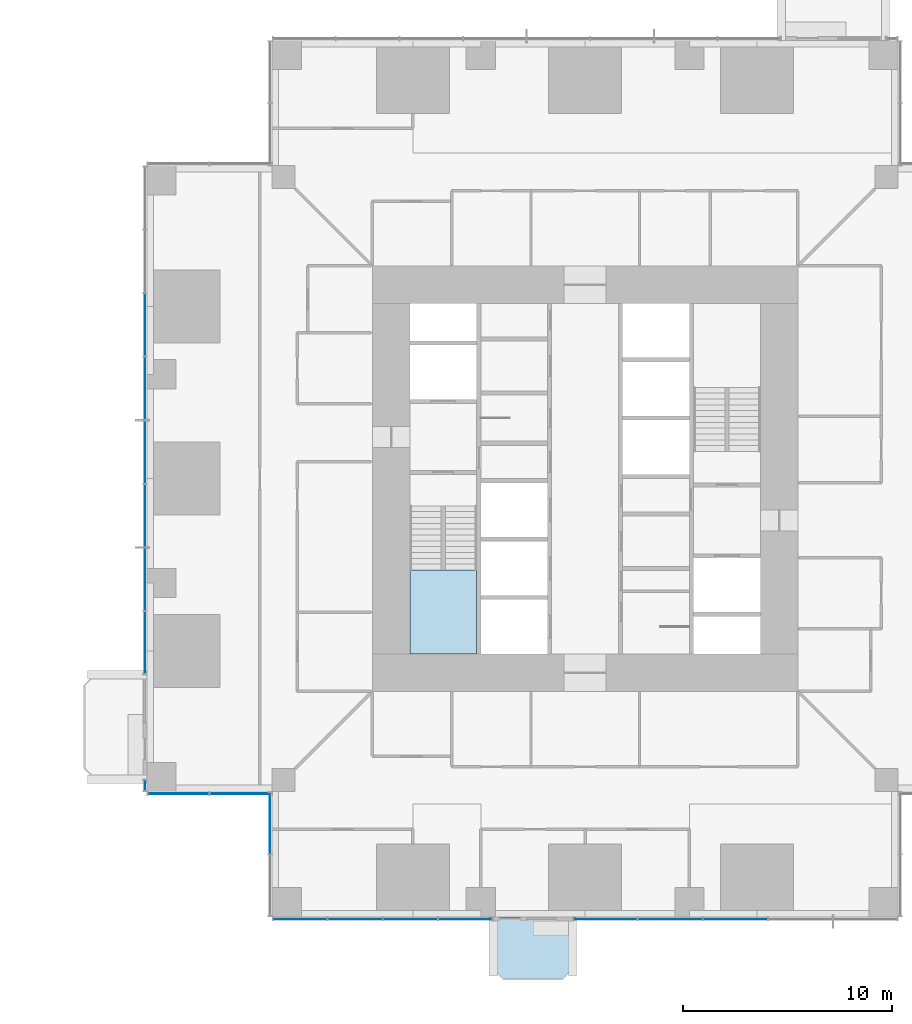
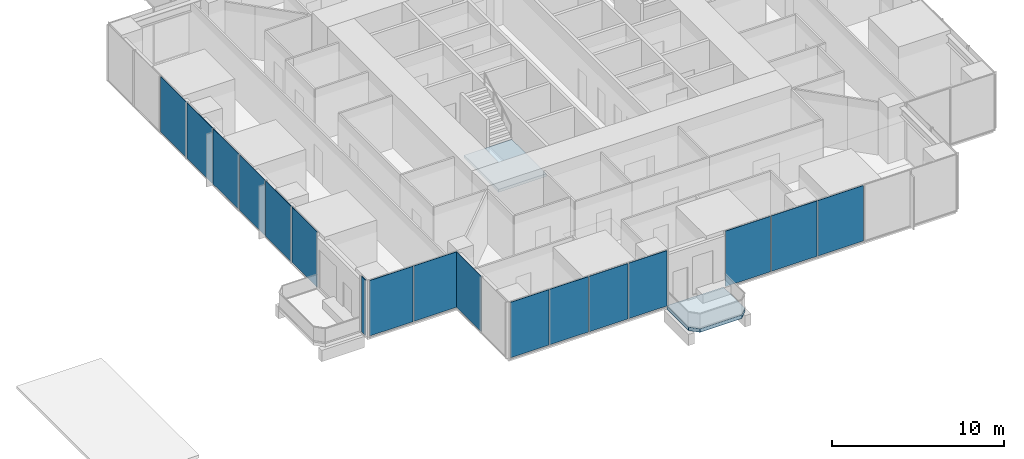
# One storey, part 7 of 16: 17 plates, 2 slabs, 7 elements without a shape of their own.
"""IFC4 building model written with IfcOpenShell, lengths in metres."""

import ifcopenshell
import ifcopenshell.guid

model = None  # the IFC model being written
_history = None  # IfcOwnerHistory: only IFC2X3 demands one
_inside = {}  # id of a spatial element -> (the spatial element, [elements in it])
_under = {}  # id of a project, library or spatial element -> (it, [spatial elements below it])
_declared = {}  # id of a project -> (the project, [libraries it declares])
_typed = {}  # id of a type object -> (the type object, [elements of that type])
_made_of = {}  # id of a material, layer set ... -> (it, [elements and type objects made of it])


def new_model(schema):
    """Start an empty IFC model of exactly this schema.

    Asked for "IFC4X3", IfcOpenShell would pick the latest addendum, in which some entities
    have other attributes; the version numbers below select the first issue.
    IFC2X3 requires an IfcOwnerHistory on every rooted entity: one is made here for all.
    """
    global model, _history
    if schema == "IFC4X3":
        model = ifcopenshell.file(schema_version=(4, 3, 0, 0))
    else:
        model = ifcopenshell.file(schema=schema)
    _inside.clear()
    _under.clear()
    _declared.clear()
    _typed.clear()
    _made_of.clear()
    _history = None
    if model.schema == "IFC2X3":
        org = make("IfcOrganization", Name="unknown")
        user = make(
            "IfcPersonAndOrganization",
            ThePerson=make("IfcPerson", FamilyName="unknown"),
            TheOrganization=org,
        )
        app = make(
            "IfcApplication",
            ApplicationDeveloper=org,
            Version="unknown",
            ApplicationFullName="unknown",
            ApplicationIdentifier="unknown",
        )
        _history = make(
            "IfcOwnerHistory",
            OwningUser=user,
            OwningApplication=app,
            ChangeAction="ADDED",
            CreationDate=0,
        )
    return model


def make(cls, **values):
    """One entity of the class cls with the attributes given. An attribute that is None is left unset."""
    return model.create_entity(
        cls, **{name: value for name, value in values.items() if value is not None}
    )


def rooted(cls, **values):
    """An entity with a GlobalId (a new one), such as an element, a storey or a relation."""
    return make(cls, GlobalId=ifcopenshell.guid.new(), OwnerHistory=_history, **values)


def si_unit(unit_type, name, prefix=None):
    """IfcSIUnit, for example si_unit("LENGTHUNIT", "METRE", prefix="MILLI")."""
    return make("IfcSIUnit", UnitType=unit_type, Prefix=prefix, Name=name)


def assignment(units):
    """IfcUnitAssignment: the units of a project."""
    return None if units is None else make("IfcUnitAssignment", Units=units)


def point(xyz):
    """IfcCartesianPoint."""
    return None if xyz is None else make("IfcCartesianPoint", Coordinates=xyz)


def direction(xyz):
    """IfcDirection."""
    return None if xyz is None else make("IfcDirection", DirectionRatios=xyz)


def frame(location, z_axis=None, x_axis=None):
    """IfcAxis2Placement3D, a coordinate frame: its origin and axes. An axis left out is left unset."""
    return make(
        "IfcAxis2Placement3D",
        Location=point(location),
        Axis=direction(z_axis),
        RefDirection=direction(x_axis),
    )


def frame_2d(location, x_axis=None):
    """IfcAxis2Placement2D, a coordinate frame in the plane: its origin and x axis."""
    return make(
        "IfcAxis2Placement2D", Location=point(location), RefDirection=direction(x_axis)
    )


def origin():
    """The frame at (0, 0, 0) with its axes left unset."""
    return frame((0.0, 0.0, 0.0))


def origin_2d():
    """The frame at (0, 0) in the plane with its x axis left unset."""
    return frame_2d((0.0, 0.0))


def place(relative_to, where):
    """IfcLocalPlacement: puts the frame where relative to a parent placement (None: the world)."""
    return make(
        "IfcLocalPlacement", PlacementRelTo=relative_to, RelativePlacement=where
    )


def context(
    kind, dimensions, precision=None, world=None, true_north=None, identifier=None
):
    """IfcGeometricRepresentationContext, for example the 3D "Model" context."""
    return make(
        "IfcGeometricRepresentationContext",
        ContextIdentifier=identifier,
        ContextType=kind,
        CoordinateSpaceDimension=dimensions,
        Precision=precision,
        WorldCoordinateSystem=world,
        TrueNorth=true_north,
    )


def subcontext(parent, identifier, kind, view, scale=None):
    """IfcGeometricRepresentationSubContext, for example "Body" below "Model"."""
    return make(
        "IfcGeometricRepresentationSubContext",
        ContextIdentifier=identifier,
        ContextType=kind,
        ParentContext=parent,
        TargetScale=scale,
        TargetView=view,
    )


def project(units=None, contexts=None):
    """IfcProject with its units and contexts."""
    return rooted(
        "IfcProject",
        Name="project",
        RepresentationContexts=contexts,
        UnitsInContext=assignment(units),
    )


def spatial(cls, under=None, at=None, **own):
    """A site, building, storey or space (cls), placed at a placement, below another one or the project."""
    s = rooted(cls, ObjectPlacement=at, **own)
    if under is not None:
        _under.setdefault(under.id(), (under, []))[1].append(s)
    return s


def polyline(points):
    """IfcPolyline through the points."""
    return make("IfcPolyline", Points=[point(p) for p in points])


def profile(cls, at=None, kind="AREA", **sizes):
    """A parametric profile (cls). Its sizes go by their IFC names, for example OverallWidth=200.0."""
    return make(cls, ProfileType=kind, Position=at, **sizes)


def rectangle(**sizes):
    """IfcRectangleProfileDef."""
    return profile("IfcRectangleProfileDef", **sizes)


def outline(outer, holes=None, kind="AREA"):
    """IfcArbitraryClosedProfileDef: a profile drawn as a closed curve; with holes, ...WithVoids."""
    if holes is None:
        return make("IfcArbitraryClosedProfileDef", ProfileType=kind, OuterCurve=outer)
    return make(
        "IfcArbitraryProfileDefWithVoids",
        ProfileType=kind,
        OuterCurve=outer,
        InnerCurves=holes,
    )


def extrude(swept, where, along, depth):
    """IfcExtrudedAreaSolid: the profile swept, set in the frame where, extruded along a direction by depth."""
    return make(
        "IfcExtrudedAreaSolid",
        SweptArea=swept,
        Position=where,
        ExtrudedDirection=direction(along),
        Depth=depth,
    )


def shape(context_of_items, identifier, shape_type, items):
    """IfcShapeRepresentation: the items that make up one representation, for example the "Body"."""
    return make(
        "IfcShapeRepresentation",
        ContextOfItems=context_of_items,
        RepresentationIdentifier=identifier,
        RepresentationType=shape_type,
        Items=items,
    )


def material(Name=None, Category=None):
    """IfcMaterial."""
    return make("IfcMaterial", Name=Name, Category=Category)


def layer(
    of_material, thickness, ventilated=None, Name=None, Category=None, Priority=None
):
    """IfcMaterialLayer: one layer of a wall or slab, of a material (None: an air gap)."""
    return make(
        "IfcMaterialLayer",
        Material=of_material,
        LayerThickness=thickness,
        IsVentilated=ventilated,
        Name=Name,
        Category=Category,
        Priority=Priority,
    )


def layer_set(layers, Name=None):
    """IfcMaterialLayerSet."""
    return make("IfcMaterialLayerSet", MaterialLayers=layers, LayerSetName=Name)


def made_of(thing, what):
    """Note that an element or type object is made of a material, layer set ...; save() writes the relation."""
    if what is not None:
        _made_of.setdefault(what.id(), (what, []))[1].append(thing)
    return thing


def type_object(cls, material=None, **own):
    """A type object (cls), such as IfcWallType, which elements share."""
    return made_of(rooted(cls, **own), material)


def element(
    cls,
    number,
    at=None,
    inside=None,
    cuts=None,
    type_object=None,
    material=None,
    context=None,
    identifier="Body",
    shape_type=None,
    held_by="IfcProductDefinitionShape",
    body=None,
    shapes=None,
    **own,
):
    """One element of the class cls, such as IfcWall. Its Tag is "e" and its number.

    at: its placement. inside: the storey or other place that contains it. cuts: it is an
    opening in that element (IfcRelVoidsElement). A single representation is given by context,
    identifier, shape_type and body (its items); several are given by shapes. held_by: the class
    of the entity that holds the representations. save() writes the other relations.
    """
    e = rooted(cls, Tag="e%d" % number, ObjectPlacement=at, **own)
    if body is not None:
        shapes = [shape(context, identifier, shape_type, body)]
    if shapes is not None:
        e.Representation = make(held_by, Representations=shapes)
    if inside is not None:
        _inside.setdefault(inside.id(), (inside, []))[1].append(e)
    if cuts is not None:
        rooted(
            "IfcRelVoidsElement", RelatingBuildingElement=cuts, RelatedOpeningElement=e
        )
    if type_object is not None:
        _typed.setdefault(type_object.id(), (type_object, []))[1].append(e)
    return made_of(e, material)


def aggregate(whole, parts):
    """IfcRelAggregates: a whole, such as a stair, and the parts it consists of."""
    return rooted("IfcRelAggregates", RelatingObject=whole, RelatedObjects=parts)


def save(model, path):
    """Write the relations noted so far, then the file.

    IfcRelAggregates (storeys below a building ...), IfcRelContainedInSpatialStructure (elements
    in a storey), IfcRelDefinesByType, IfcRelAssociatesMaterial and IfcRelDeclares: one each for
    every whole, place, type object, material and project.
    """
    for whole, parts in _under.values():
        aggregate(whole, parts)
    for where, things in _inside.values():
        rooted(
            "IfcRelContainedInSpatialStructure",
            RelatedElements=things,
            RelatingStructure=where,
        )
    for kind, things in _typed.values():
        rooted("IfcRelDefinesByType", RelatedObjects=things, RelatingType=kind)
    for what, things in _made_of.values():
        rooted("IfcRelAssociatesMaterial", RelatedObjects=things, RelatingMaterial=what)
    for by, libraries in _declared.values():
        rooted("IfcRelDeclares", RelatingContext=by, RelatedDefinitions=libraries)
    model.write(path)


model = new_model("IFC4")

# Units and contexts
model_context = context("Model", 3, precision=1e-05, world=origin(), true_north=direction((0.0, 1.0)))
body_context = subcontext(model_context, "Body", "Model", "MODEL_VIEW")
ifc_project = project(units=[si_unit("LENGTHUNIT", "METRE"), si_unit("AREAUNIT", "SQUARE_METRE"), si_unit("VOLUMEUNIT", "CUBIC_METRE"), si_unit("PLANEANGLEUNIT", "RADIAN"), si_unit("MASSUNIT", "GRAM", prefix="KILO")], contexts=[model_context])

# Site, building, storey
site_placement = place(None, origin())
site = spatial("IfcSite", under=ifc_project, at=site_placement, CompositionType="ELEMENT")
building_placement = place(site_placement, origin())
building = spatial("IfcBuilding", under=site, at=building_placement, Name="Svetlomir Tower", CompositionType="ELEMENT")
storey_placement = place(building_placement, frame((0.0, 0.0, 22.5)))
storey = spatial("IfcBuildingStorey", under=building, at=storey_placement, Name="L04", CompositionType="ELEMENT", Elevation=22.5)

# Slab
ifc_material_1 = material(Name="Concrete C60/75", Category="concrete")
ifc_layer_1 = layer(ifc_material_1, 0.25)
ifc_layer_set_1 = layer_set([ifc_layer_1], Name="Concrete C60/75")
slab_type_1 = type_object("IfcSlabType", Name="BALCONY SLAB 250", PredefinedType="FLOOR", material=ifc_layer_set_1)
slab_1_placement = place(storey_placement, frame((0.0, 0.0, -0.25)))
element("IfcSlab", 1, at=slab_1_placement, inside=storey, type_object=slab_type_1, Name="L04 S planted balcony", PredefinedType="FLOOR", context=body_context, shape_type="SweptSolid", body=[
    extrude(outline(polyline([(16.60009765625, -2.5), (17.10009765625, -3.0), (19.89990234375, -3.0), (20.39990234375, -2.5), (20.39990234375, 0.0), (16.60009765625, 0.0), (16.60009765625, -2.5)])), origin(), (0.0, 0.0, 1.0), 0.25),
])

# Curtain wall, plates
ifc_material_2 = material(Name="Bronze anodised aluminium curtain wall", Category="aluminium")
curtain_wall_type = type_object("IfcCurtainWallType", Name="CURTAIN WALL CW1 TOWER OFFICE", PredefinedType="NOTDEFINED", material=ifc_material_2)
curtain_wall_1_placement = place(storey_placement, origin())
curtain_wall_1 = element("IfcCurtainWall", 2, at=curtain_wall_1_placement, inside=storey, type_object=curtain_wall_type, Name="Curtain wall CW1 L04", PredefinedType="NOTDEFINED")
ifc_material_3 = material(Name="Tinted double glazed unit", Category="glass")
ifc_layer_2 = layer(ifc_material_3, 0.031982421875)
ifc_layer_set_2 = layer_set([ifc_layer_2], Name="Tinted double glazed unit")
plate_type = type_object("IfcPlateType", Name="CW1 GLAZED PANEL 32", PredefinedType="CURTAIN_PANEL", material=ifc_layer_set_2)
plate_1_placement = place(storey_placement, frame((7.34130859375, -0.10009765625, 0.06494140625), z_axis=(0.0, 0.0, 1.0), x_axis=(1.0, 0.0, 0.0)))
plate_1 = element("IfcPlate", 3, at=plate_1_placement, type_object=plate_type, Name="CW1 panel 1.1", PredefinedType="CURTAIN_PANEL", context=body_context, shape_type="SweptSolid", body=[
    extrude(rectangle(XDim=2.552490234375, YDim=0.031982421875, at=origin_2d()), origin(), (0.0, 0.0, 1.0), 3.93505859375),
])
plate_2_placement = place(storey_placement, frame((9.97509765625, -0.10009765625, 0.06494140625), z_axis=(0.0, 0.0, 1.0), x_axis=(1.0, 0.0, 0.0)))
plate_2 = element("IfcPlate", 4, at=plate_2_placement, type_object=plate_type, Name="CW1 panel 2.1", PredefinedType="CURTAIN_PANEL", context=body_context, shape_type="SweptSolid", body=[
    extrude(rectangle(XDim=2.5849609375, YDim=0.031982421875, at=origin_2d()), origin(), (0.0, 0.0, 1.0), 3.93505859375),
])
plate_3_placement = place(storey_placement, frame((12.625, -0.10009765625, 0.06494140625), z_axis=(0.0, 0.0, 1.0), x_axis=(1.0, 0.0, 0.0)))
plate_3 = element("IfcPlate", 5, at=plate_3_placement, type_object=plate_type, Name="CW1 panel 3.1", PredefinedType="CURTAIN_PANEL", context=body_context, shape_type="SweptSolid", body=[
    extrude(rectangle(XDim=2.5849609375, YDim=0.031982421875, at=origin_2d()), origin(), (0.0, 0.0, 1.0), 3.93505859375),
])
plate_4_placement = place(storey_placement, frame((15.2587890625, -0.10009765625, 0.06494140625), z_axis=(0.0, 0.0, 1.0), x_axis=(1.0, 0.0, 0.0)))
plate_4 = element("IfcPlate", 6, at=plate_4_placement, type_object=plate_type, Name="CW1 panel 4.1", PredefinedType="CURTAIN_PANEL", context=body_context, shape_type="SweptSolid", body=[
    extrude(rectangle(XDim=2.552490234375, YDim=0.031982421875, at=origin_2d()), origin(), (0.0, 0.0, 1.0), 3.93505859375),
])
aggregate(curtain_wall_1, [plate_1, plate_2, plate_3, plate_4])

curtain_wall_2_placement = place(storey_placement, origin())
curtain_wall_2 = element("IfcCurtainWall", 7, at=curtain_wall_2_placement, inside=storey, type_object=curtain_wall_type, Name="Curtain wall CW1 L04", PredefinedType="NOTDEFINED")
plate_5_placement = place(storey_placement, frame((21.976318359375, -0.10009765625, 0.06494140625), z_axis=(0.0, 0.0, 1.0), x_axis=(1.0, 0.0, 0.0)))
plate_5 = element("IfcPlate", 8, at=plate_5_placement, type_object=plate_type, Name="CW1 panel 1.1", PredefinedType="CURTAIN_PANEL", context=body_context, shape_type="SweptSolid", body=[
    extrude(rectangle(XDim=3.0224609375, YDim=0.031982421875, at=origin_2d()), origin(), (0.0, 0.0, 1.0), 3.93505859375),
])
plate_6_placement = place(storey_placement, frame((25.080078125, -0.10009765625, 0.06494140625), z_axis=(0.0, 0.0, 1.0), x_axis=(1.0, 0.0, 0.0)))
plate_6 = element("IfcPlate", 9, at=plate_6_placement, type_object=plate_type, Name="CW1 panel 2.1", PredefinedType="CURTAIN_PANEL", context=body_context, shape_type="SweptSolid", body=[
    extrude(rectangle(XDim=3.054931640625, YDim=0.031982421875, at=origin_2d()), origin(), (0.0, 0.0, 1.0), 3.93505859375),
])
plate_7_placement = place(storey_placement, frame((28.199951171875, -0.10009765625, 0.06494140625), z_axis=(0.0, 0.0, 1.0), x_axis=(1.0, 0.0, 0.0)))
plate_7 = element("IfcPlate", 10, at=plate_7_placement, type_object=plate_type, Name="CW1 panel 3.1", PredefinedType="CURTAIN_PANEL", context=body_context, shape_type="SweptSolid", body=[
    extrude(rectangle(XDim=3.054931640625, YDim=0.031982421875, at=origin_2d()), origin(), (0.0, 0.0, 1.0), 3.93505859375),
])
aggregate(curtain_wall_2, [plate_5, plate_6, plate_7])

curtain_wall_3_placement = place(storey_placement, origin())
curtain_wall_3 = element("IfcCurtainWall", 11, at=curtain_wall_3_placement, inside=storey, type_object=curtain_wall_type, Name="Curtain wall CW1 L04", PredefinedType="NOTDEFINED")
plate_8_placement = place(storey_placement, frame((-0.10009765625, 28.375, 0.06494140625), z_axis=(0.0, 0.0, 1.0), x_axis=(0.0, -1.0, 0.0)))
plate_8 = element("IfcPlate", 12, at=plate_8_placement, type_object=plate_type, Name="CW1 panel 3.1", PredefinedType="CURTAIN_PANEL", context=body_context, shape_type="SweptSolid", body=[
    extrude(rectangle(XDim=2.985107421875, YDim=0.031982421875, at=origin_2d()), origin(), (0.0, 0.0, 1.0), 3.93505859375),
])
plate_9_placement = place(storey_placement, frame((-0.10009765625, 25.324951171875, 0.06494140625), z_axis=(0.0, 0.0, 1.0), x_axis=(0.0, -1.0, 0.0)))
plate_9 = element("IfcPlate", 13, at=plate_9_placement, type_object=plate_type, Name="CW1 panel 4.1", PredefinedType="CURTAIN_PANEL", context=body_context, shape_type="SweptSolid", body=[
    extrude(rectangle(XDim=2.985107421875, YDim=0.031982421875, at=origin_2d()), origin(), (0.0, 0.0, 1.0), 3.93505859375),
])
plate_10_placement = place(storey_placement, frame((-0.10009765625, 22.27490234375, 0.06494140625), z_axis=(0.0, 0.0, 1.0), x_axis=(0.0, -1.0, 0.0)))
plate_10 = element("IfcPlate", 14, at=plate_10_placement, type_object=plate_type, Name="CW1 panel 5.1", PredefinedType="CURTAIN_PANEL", context=body_context, shape_type="SweptSolid", body=[
    extrude(rectangle(XDim=2.985107421875, YDim=0.031982421875, at=origin_2d()), origin(), (0.0, 0.0, 1.0), 3.93505859375),
])
plate_11_placement = place(storey_placement, frame((-0.10009765625, 19.22509765625, 0.06494140625), z_axis=(0.0, 0.0, 1.0), x_axis=(0.0, -1.0, 0.0)))
plate_11 = element("IfcPlate", 15, at=plate_11_placement, type_object=plate_type, Name="CW1 panel 6.1", PredefinedType="CURTAIN_PANEL", context=body_context, shape_type="SweptSolid", body=[
    extrude(rectangle(XDim=2.985107421875, YDim=0.031982421875, at=origin_2d()), origin(), (0.0, 0.0, 1.0), 3.93505859375),
])
plate_12_placement = place(storey_placement, frame((-0.10009765625, 16.175048828125, 0.06494140625), z_axis=(0.0, 0.0, 1.0), x_axis=(0.0, -1.0, 0.0)))
plate_12 = element("IfcPlate", 16, at=plate_12_placement, type_object=plate_type, Name="CW1 panel 7.1", PredefinedType="CURTAIN_PANEL", context=body_context, shape_type="SweptSolid", body=[
    extrude(rectangle(XDim=2.985107421875, YDim=0.031982421875, at=origin_2d()), origin(), (0.0, 0.0, 1.0), 3.93505859375),
])
plate_13_placement = place(storey_placement, frame((-0.10009765625, 13.141357421875, 0.06494140625), z_axis=(0.0, 0.0, 1.0), x_axis=(0.0, -1.0, 0.0)))
plate_13 = element("IfcPlate", 17, at=plate_13_placement, type_object=plate_type, Name="CW1 panel 8.1", PredefinedType="CURTAIN_PANEL", context=body_context, shape_type="SweptSolid", body=[
    extrude(rectangle(XDim=2.952392578125, YDim=0.031982421875, at=origin_2d()), origin(), (0.0, 0.0, 1.0), 3.93505859375),
])
aggregate(curtain_wall_3, [plate_8, plate_9, plate_10, plate_11, plate_12, plate_13])

# Curtain wall, plate
curtain_wall_4_placement = place(storey_placement, origin())
curtain_wall_4 = element("IfcCurtainWall", 18, at=curtain_wall_4_placement, inside=storey, type_object=curtain_wall_type, Name="Curtain wall CW1 L04", PredefinedType="NOTDEFINED")
plate_14_placement = place(storey_placement, frame((-0.10009765625, 6.300048828125, 0.06494140625), z_axis=(0.0, 0.0, 1.0), x_axis=(0.0, -1.0, 0.0)))
plate_14 = element("IfcPlate", 19, at=plate_14_placement, type_object=plate_type, Name="CW1 panel 1.1", PredefinedType="CURTAIN_PANEL", context=body_context, shape_type="SweptSolid", body=[
    extrude(rectangle(XDim=0.469970703125, YDim=0.031982421875, at=origin_2d()), origin(), (0.0, 0.0, 1.0), 3.93505859375),
])
aggregate(curtain_wall_4, [plate_14])

# Curtain wall, plates
curtain_wall_5_placement = place(storey_placement, origin())
curtain_wall_5 = element("IfcCurtainWall", 20, at=curtain_wall_5_placement, inside=storey, type_object=curtain_wall_type, Name="Curtain wall CW1 L04", PredefinedType="NOTDEFINED")
plate_15_placement = place(storey_placement, frame((1.516357421875, 5.89990234375, 0.06494140625), z_axis=(0.0, 0.0, 1.0), x_axis=(1.0, 0.0, 0.0)))
plate_15 = element("IfcPlate", 21, at=plate_15_placement, type_object=plate_type, Name="CW1 panel 1.1", PredefinedType="CURTAIN_PANEL", context=body_context, shape_type="SweptSolid", body=[
    extrude(rectangle(XDim=2.902587890625, YDim=0.031982421875, at=origin_2d()), origin(), (0.0, 0.0, 1.0), 3.93505859375),
])
plate_16_placement = place(storey_placement, frame((4.483642578125, 5.89990234375, 0.06494140625), z_axis=(0.0, 0.0, 1.0), x_axis=(1.0, 0.0, 0.0)))
plate_16 = element("IfcPlate", 22, at=plate_16_placement, type_object=plate_type, Name="CW1 panel 2.1", PredefinedType="CURTAIN_PANEL", context=body_context, shape_type="SweptSolid", body=[
    extrude(rectangle(XDim=2.902587890625, YDim=0.031982421875, at=origin_2d()), origin(), (0.0, 0.0, 1.0), 3.93505859375),
])
aggregate(curtain_wall_5, [plate_15, plate_16])

# Curtain wall, plate
curtain_wall_6_placement = place(storey_placement, origin())
curtain_wall_6 = element("IfcCurtainWall", 23, at=curtain_wall_6_placement, inside=storey, type_object=curtain_wall_type, Name="Curtain wall CW1 L04", PredefinedType="NOTDEFINED")
plate_17_placement = place(storey_placement, frame((5.89990234375, 4.483642578125, 0.06494140625), z_axis=(0.0, 0.0, 1.0), x_axis=(0.0, -1.0, 0.0)))
plate_17 = element("IfcPlate", 24, at=plate_17_placement, type_object=plate_type, Name="CW1 panel 1.1", PredefinedType="CURTAIN_PANEL", context=body_context, shape_type="SweptSolid", body=[
    extrude(rectangle(XDim=2.902587890625, YDim=0.031982421875, at=origin_2d()), origin(), (0.0, 0.0, 1.0), 3.93505859375),
])
aggregate(curtain_wall_6, [plate_17])

# Stair, slab
ifc_material_4 = material(Name="Concrete C60/75", Category="concrete")
stair_type = type_object("IfcStairType", Name="EXIT STAIR 3200 RISE 4000", PredefinedType="HALF_TURN_STAIR", material=ifc_material_4)
stair_placement = place(storey_placement, origin())
stair = element("IfcStair", 25, at=stair_placement, inside=storey, type_object=stair_type, Name="Stair S1 L04 to L05", PredefinedType="HALF_TURN_STAIR")
ifc_material_5 = material(Name="Concrete C60/75", Category="concrete")
ifc_layer_3 = layer(ifc_material_5, 0.199951171875)
ifc_layer_set_3 = layer_set([ifc_layer_3], Name="Concrete C60/75")
slab_type_2 = type_object("IfcSlabType", Name="STAIR LANDING 200", PredefinedType="LANDING", material=ifc_layer_set_3)
slab_2_placement = place(storey_placement, frame((0.0, 0.0, 1.800048828125)))
slab_2 = element("IfcSlab", 26, at=slab_2_placement, type_object=slab_type_2, Name="S1 landing 1", PredefinedType="LANDING", context=body_context, shape_type="SweptSolid", body=[
    extrude(outline(polyline([(12.60009765625, 12.60009765625), (15.800048828125, 12.60009765625), (15.800048828125, 16.6201171875), (12.60009765625, 16.6201171875), (12.60009765625, 12.60009765625)])), origin(), (0.0, 0.0, 1.0), 0.199951171875),
])
aggregate(stair, [slab_2])

save(model, "model.ifc")
